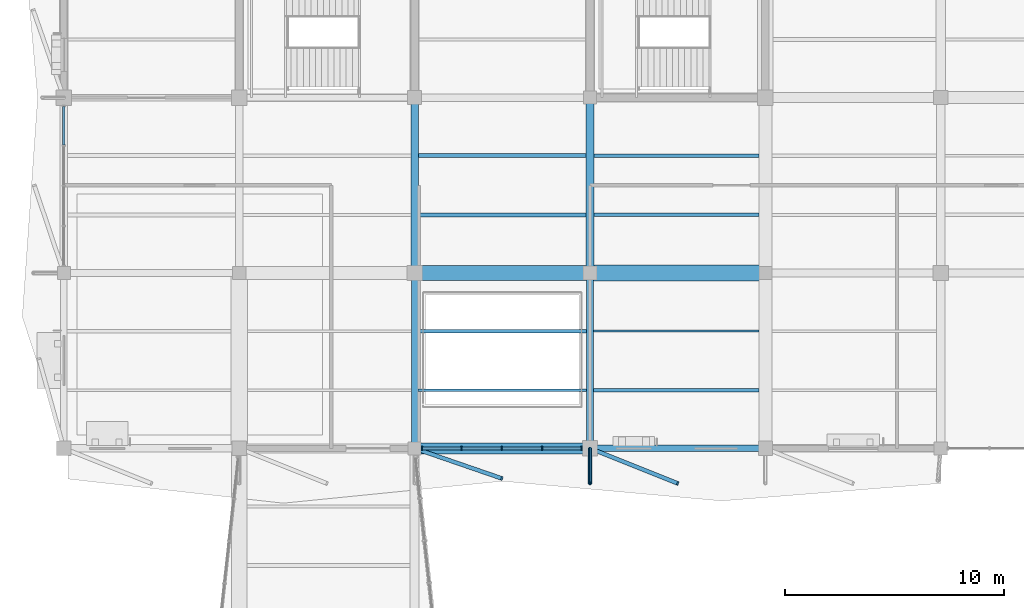
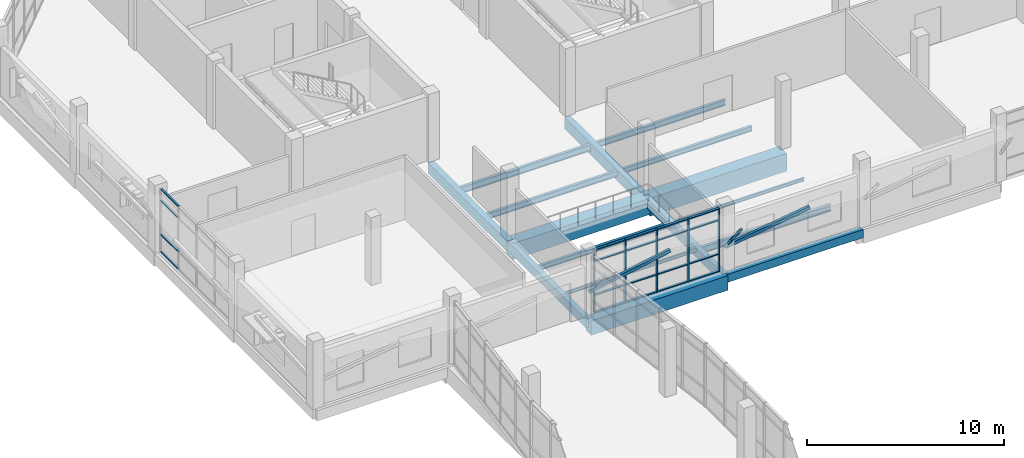
# One storey, part 26 of 84: 28 members, 16 beams, 2 elements without a shape of their own.
"""IFC4 building model written with IfcOpenShell, lengths in metres."""

import ifcopenshell
import ifcopenshell.guid

model = None  # the IFC model being written
_history = None  # IfcOwnerHistory: only IFC2X3 demands one
_inside = {}  # id of a spatial element -> (the spatial element, [elements in it])
_under = {}  # id of a project, library or spatial element -> (it, [spatial elements below it])
_declared = {}  # id of a project -> (the project, [libraries it declares])
_typed = {}  # id of a type object -> (the type object, [elements of that type])
_made_of = {}  # id of a material, layer set ... -> (it, [elements and type objects made of it])


def new_model(schema):
    """Start an empty IFC model of exactly this schema.

    Asked for "IFC4X3", IfcOpenShell would pick the latest addendum, in which some entities
    have other attributes; the version numbers below select the first issue.
    IFC2X3 requires an IfcOwnerHistory on every rooted entity: one is made here for all.
    """
    global model, _history
    if schema == "IFC4X3":
        model = ifcopenshell.file(schema_version=(4, 3, 0, 0))
    else:
        model = ifcopenshell.file(schema=schema)
    _inside.clear()
    _under.clear()
    _declared.clear()
    _typed.clear()
    _made_of.clear()
    _history = None
    if model.schema == "IFC2X3":
        org = make("IfcOrganization", Name="unknown")
        user = make(
            "IfcPersonAndOrganization",
            ThePerson=make("IfcPerson", FamilyName="unknown"),
            TheOrganization=org,
        )
        app = make(
            "IfcApplication",
            ApplicationDeveloper=org,
            Version="unknown",
            ApplicationFullName="unknown",
            ApplicationIdentifier="unknown",
        )
        _history = make(
            "IfcOwnerHistory",
            OwningUser=user,
            OwningApplication=app,
            ChangeAction="ADDED",
            CreationDate=0,
        )
    return model


def make(cls, **values):
    """One entity of the class cls with the attributes given. An attribute that is None is left unset."""
    return model.create_entity(
        cls, **{name: value for name, value in values.items() if value is not None}
    )


def rooted(cls, **values):
    """An entity with a GlobalId (a new one), such as an element, a storey or a relation."""
    return make(cls, GlobalId=ifcopenshell.guid.new(), OwnerHistory=_history, **values)


def si_unit(unit_type, name, prefix=None):
    """IfcSIUnit, for example si_unit("LENGTHUNIT", "METRE", prefix="MILLI")."""
    return make("IfcSIUnit", UnitType=unit_type, Prefix=prefix, Name=name)


def assignment(units):
    """IfcUnitAssignment: the units of a project."""
    return None if units is None else make("IfcUnitAssignment", Units=units)


def point(xyz):
    """IfcCartesianPoint."""
    return None if xyz is None else make("IfcCartesianPoint", Coordinates=xyz)


def direction(xyz):
    """IfcDirection."""
    return None if xyz is None else make("IfcDirection", DirectionRatios=xyz)


def frame(location, z_axis=None, x_axis=None):
    """IfcAxis2Placement3D, a coordinate frame: its origin and axes. An axis left out is left unset."""
    return make(
        "IfcAxis2Placement3D",
        Location=point(location),
        Axis=direction(z_axis),
        RefDirection=direction(x_axis),
    )


def frame_2d(location, x_axis=None):
    """IfcAxis2Placement2D, a coordinate frame in the plane: its origin and x axis."""
    return make(
        "IfcAxis2Placement2D", Location=point(location), RefDirection=direction(x_axis)
    )


def origin():
    """The frame at (0, 0, 0) with its axes left unset."""
    return frame((0.0, 0.0, 0.0))


def origin_2d():
    """The frame at (0, 0) in the plane with its x axis left unset."""
    return frame_2d((0.0, 0.0))


def place(relative_to, where):
    """IfcLocalPlacement: puts the frame where relative to a parent placement (None: the world)."""
    return make(
        "IfcLocalPlacement", PlacementRelTo=relative_to, RelativePlacement=where
    )


def context(
    kind, dimensions, precision=None, world=None, true_north=None, identifier=None
):
    """IfcGeometricRepresentationContext, for example the 3D "Model" context."""
    return make(
        "IfcGeometricRepresentationContext",
        ContextIdentifier=identifier,
        ContextType=kind,
        CoordinateSpaceDimension=dimensions,
        Precision=precision,
        WorldCoordinateSystem=world,
        TrueNorth=true_north,
    )


def subcontext(parent, identifier, kind, view, scale=None):
    """IfcGeometricRepresentationSubContext, for example "Body" below "Model"."""
    return make(
        "IfcGeometricRepresentationSubContext",
        ContextIdentifier=identifier,
        ContextType=kind,
        ParentContext=parent,
        TargetScale=scale,
        TargetView=view,
    )


def project(units=None, contexts=None):
    """IfcProject with its units and contexts."""
    return rooted(
        "IfcProject",
        Name="project",
        RepresentationContexts=contexts,
        UnitsInContext=assignment(units),
    )


def spatial(cls, under=None, at=None, **own):
    """A site, building, storey or space (cls), placed at a placement, below another one or the project."""
    s = rooted(cls, ObjectPlacement=at, **own)
    if under is not None:
        _under.setdefault(under.id(), (under, []))[1].append(s)
    return s


def profile(cls, at=None, kind="AREA", **sizes):
    """A parametric profile (cls). Its sizes go by their IFC names, for example OverallWidth=200.0."""
    return make(cls, ProfileType=kind, Position=at, **sizes)


def rectangle(**sizes):
    """IfcRectangleProfileDef."""
    return profile("IfcRectangleProfileDef", **sizes)


def hollow_rectangle(**sizes):
    """IfcRectangleHollowProfileDef."""
    return profile("IfcRectangleHollowProfileDef", **sizes)


def hollow_circle(**sizes):
    """IfcCircleHollowProfileDef."""
    return profile("IfcCircleHollowProfileDef", **sizes)


def i_section(**sizes):
    """IfcIShapeProfileDef."""
    return profile("IfcIShapeProfileDef", **sizes)


def extrude(swept, where, along, depth):
    """IfcExtrudedAreaSolid: the profile swept, set in the frame where, extruded along a direction by depth."""
    return make(
        "IfcExtrudedAreaSolid",
        SweptArea=swept,
        Position=where,
        ExtrudedDirection=direction(along),
        Depth=depth,
    )


def shape(context_of_items, identifier, shape_type, items):
    """IfcShapeRepresentation: the items that make up one representation, for example the "Body"."""
    return make(
        "IfcShapeRepresentation",
        ContextOfItems=context_of_items,
        RepresentationIdentifier=identifier,
        RepresentationType=shape_type,
        Items=items,
    )


def material(Name=None, Category=None):
    """IfcMaterial."""
    return make("IfcMaterial", Name=Name, Category=Category)


def material_profile(
    of_material, cross_section, Name=None, Category=None, Priority=None
):
    """IfcMaterialProfile: a cross section and its material."""
    return make(
        "IfcMaterialProfile",
        Name=Name,
        Material=of_material,
        Profile=cross_section,
        Priority=Priority,
        Category=Category,
    )


def profile_set(profiles, Name=None, composite=None):
    """IfcMaterialProfileSet."""
    return make(
        "IfcMaterialProfileSet",
        Name=Name,
        MaterialProfiles=profiles,
        CompositeProfile=composite,
    )


def made_of(thing, what):
    """Note that an element or type object is made of a material, layer set ...; save() writes the relation."""
    if what is not None:
        _made_of.setdefault(what.id(), (what, []))[1].append(thing)
    return thing


def type_object(cls, material=None, **own):
    """A type object (cls), such as IfcWallType, which elements share."""
    return made_of(rooted(cls, **own), material)


def element(
    cls,
    number,
    at=None,
    inside=None,
    cuts=None,
    type_object=None,
    material=None,
    context=None,
    identifier="Body",
    shape_type=None,
    held_by="IfcProductDefinitionShape",
    body=None,
    shapes=None,
    **own,
):
    """One element of the class cls, such as IfcWall. Its Tag is "e" and its number.

    at: its placement. inside: the storey or other place that contains it. cuts: it is an
    opening in that element (IfcRelVoidsElement). A single representation is given by context,
    identifier, shape_type and body (its items); several are given by shapes. held_by: the class
    of the entity that holds the representations. save() writes the other relations.
    """
    e = rooted(cls, Tag="e%d" % number, ObjectPlacement=at, **own)
    if body is not None:
        shapes = [shape(context, identifier, shape_type, body)]
    if shapes is not None:
        e.Representation = make(held_by, Representations=shapes)
    if inside is not None:
        _inside.setdefault(inside.id(), (inside, []))[1].append(e)
    if cuts is not None:
        rooted(
            "IfcRelVoidsElement", RelatingBuildingElement=cuts, RelatedOpeningElement=e
        )
    if type_object is not None:
        _typed.setdefault(type_object.id(), (type_object, []))[1].append(e)
    return made_of(e, material)


def aggregate(whole, parts):
    """IfcRelAggregates: a whole, such as a stair, and the parts it consists of."""
    return rooted("IfcRelAggregates", RelatingObject=whole, RelatedObjects=parts)


def save(model, path):
    """Write the relations noted so far, then the file.

    IfcRelAggregates (storeys below a building ...), IfcRelContainedInSpatialStructure (elements
    in a storey), IfcRelDefinesByType, IfcRelAssociatesMaterial and IfcRelDeclares: one each for
    every whole, place, type object, material and project.
    """
    for whole, parts in _under.values():
        aggregate(whole, parts)
    for where, things in _inside.values():
        rooted(
            "IfcRelContainedInSpatialStructure",
            RelatedElements=things,
            RelatingStructure=where,
        )
    for kind, things in _typed.values():
        rooted("IfcRelDefinesByType", RelatedObjects=things, RelatingType=kind)
    for what, things in _made_of.values():
        rooted("IfcRelAssociatesMaterial", RelatedObjects=things, RelatingMaterial=what)
    for by, libraries in _declared.values():
        rooted("IfcRelDeclares", RelatingContext=by, RelatedDefinitions=libraries)
    model.write(path)


model = new_model("IFC4")

# Units and contexts
model_context = context("Model", 3, precision=1e-05, world=origin(), true_north=direction((0.0, 1.0)))
body_context = subcontext(model_context, "Body", "Model", "MODEL_VIEW")
ifc_project = project(units=[si_unit("LENGTHUNIT", "METRE"), si_unit("AREAUNIT", "SQUARE_METRE"), si_unit("VOLUMEUNIT", "CUBIC_METRE"), si_unit("PLANEANGLEUNIT", "RADIAN"), si_unit("MASSUNIT", "GRAM", prefix="KILO")], contexts=[model_context])

# Site, building, storey
site_placement = place(None, origin())
site = spatial("IfcSite", under=ifc_project, at=site_placement, CompositionType="ELEMENT")
building_placement = place(site_placement, origin())
building = spatial("IfcBuilding", under=site, at=building_placement, Name="Tenunan Teduh Sports Hall", CompositionType="ELEMENT")
storey_placement = place(building_placement, frame((0.0, 0.0, 10.800048828125)))
storey = spatial("IfcBuildingStorey", under=building, at=storey_placement, Name="L02", CompositionType="ELEMENT", Elevation=10.800048828125)

# Beams
ifc_material_1 = material(Name="Concrete C40/50", Category="concrete")
ifc_material_profile_1 = material_profile(ifc_material_1, rectangle(XDim=0.300048828125, YDim=0.5, at=origin_2d()), Name="RCB 300x500")
ifc_profile_set_1 = profile_set([ifc_material_profile_1], Name="Concrete C40/50")
beam_type_1 = type_object("IfcBeamType", Name="BM-RC-300x500", PredefinedType="BEAM", material=ifc_profile_set_1)
beam_1_placement = place(storey_placement, frame((30.0, 78.0, -0.510009765625), z_axis=(1.0, 0.0, 0.0), x_axis=(0.0, 1.0, 0.0)))
element("IfcBeam", 1, at=beam_1_placement, inside=storey, type_object=beam_type_1, Name="BM-B-01-L02-1485", PredefinedType="BEAM", context=body_context, shape_type="SweptSolid", body=[
    extrude(rectangle(XDim=0.300048828125, YDim=0.5, at=origin_2d()), origin(), (0.0, 0.0, 1.0), 8.0),
])
ifc_material_2 = material(Name="Concrete C40/50", Category="concrete")
ifc_material_profile_2 = material_profile(ifc_material_2, rectangle(XDim=0.300048828125, YDim=0.550048828125, at=origin_2d()), Name="RCB 300x550")
ifc_profile_set_2 = profile_set([ifc_material_profile_2], Name="Concrete C40/50")
beam_type_2 = type_object("IfcBeamType", Name="BM-RC-300x550", PredefinedType="BEAM", material=ifc_profile_set_2)
beam_2_placement = place(storey_placement, frame((22.0, 78.0, -0.53515625), z_axis=(0.0, 1.0, 0.0), x_axis=(-1.0, 0.0, 0.0)))
element("IfcBeam", 2, at=beam_2_placement, inside=storey, type_object=beam_type_2, Name="BM-B-02-L02-1588", PredefinedType="BEAM", context=body_context, shape_type="SweptSolid", body=[
    extrude(rectangle(XDim=0.300048828125, YDim=0.550048828125, at=origin_2d()), origin(), (0.0, 0.0, 1.0), 8.0),
])
ifc_material_3 = material(Name="Concrete C40/50", Category="concrete")
ifc_material_profile_3 = material_profile(ifc_material_3, rectangle(XDim=0.300048828125, YDim=0.60009765625, at=origin_2d()), Name="RCB 300x600")
ifc_profile_set_3 = profile_set([ifc_material_profile_3], Name="Concrete C40/50")
beam_type_3 = type_object("IfcBeamType", Name="BM-RC-300x600", PredefinedType="BEAM", material=ifc_profile_set_3)
beam_3_placement = place(storey_placement, frame((30.0, 78.0, -0.56005859375), z_axis=(0.0, 1.0, 0.0), x_axis=(-1.0, 0.0, 0.0)))
element("IfcBeam", 3, at=beam_3_placement, inside=storey, type_object=beam_type_3, Name="BM-B-03-L02-1593", PredefinedType="BEAM", context=body_context, shape_type="SweptSolid", body=[
    extrude(rectangle(XDim=0.300048828125, YDim=0.60009765625, at=origin_2d()), origin(), (0.0, 0.0, 1.0), 8.0),
])
ifc_material_4 = material(Name="Concrete C40/50", Category="concrete")
ifc_material_profile_4 = material_profile(ifc_material_4, rectangle(XDim=0.35009765625, YDim=0.64990234375, at=origin_2d()), Name="RCB 350x650")
ifc_profile_set_4 = profile_set([ifc_material_profile_4], Name="Concrete C40/50")
beam_type_4 = type_object("IfcBeamType", Name="BM-RC-350x650", PredefinedType="BEAM", material=ifc_profile_set_4)
beam_4_placement = place(storey_placement, frame((22.0, 86.0, -0.5849609375), z_axis=(0.0, 1.0, 0.0), x_axis=(-1.0, 0.0, 0.0)))
element("IfcBeam", 4, at=beam_4_placement, inside=storey, type_object=beam_type_4, Name="BM-B-05-L02-1589", PredefinedType="BEAM", context=body_context, shape_type="SweptSolid", body=[
    extrude(rectangle(XDim=0.35009765625, YDim=0.64990234375, at=origin_2d()), origin(), (0.0, 0.0, 1.0), 8.0),
])
ifc_material_5 = material(Name="Concrete C40/50", Category="concrete")
ifc_material_profile_5 = material_profile(ifc_material_5, rectangle(XDim=0.35009765625, YDim=0.699951171875, at=origin_2d()), Name="RCB 350x700")
ifc_profile_set_5 = profile_set([ifc_material_profile_5], Name="Concrete C40/50")
beam_type_5 = type_object("IfcBeamType", Name="BM-RC-350x700", PredefinedType="BEAM", material=ifc_profile_set_5)
beam_5_placement = place(storey_placement, frame((30.0, 86.0, -0.610107421875), z_axis=(0.0, 1.0, 0.0), x_axis=(-1.0, 0.0, 0.0)))
element("IfcBeam", 5, at=beam_5_placement, inside=storey, type_object=beam_type_5, Name="BM-B-06-L02-1594", PredefinedType="BEAM", context=body_context, shape_type="SweptSolid", body=[
    extrude(rectangle(XDim=0.35009765625, YDim=0.699951171875, at=origin_2d()), origin(), (0.0, 0.0, 1.0), 8.0),
])
ifc_material_6 = material(Name="Concrete C40/50", Category="concrete")
ifc_material_profile_6 = material_profile(ifc_material_6, rectangle(XDim=0.5, YDim=0.89990234375, at=origin_2d()), Name="RCB 500x900")
ifc_profile_set_6 = profile_set([ifc_material_profile_6], Name="Concrete C40/50")
beam_type_6 = type_object("IfcBeamType", Name="BM-RC-500x900", PredefinedType="BEAM", material=ifc_profile_set_6)
beam_6_placement = place(storey_placement, frame((22.0, 78.0, -0.7099609375), z_axis=(1.0, 0.0, 0.0), x_axis=(0.0, 1.0, 0.0)))
element("IfcBeam", 6, at=beam_6_placement, inside=storey, type_object=beam_type_6, Name="BM-B-15-L02-1484", PredefinedType="BEAM", context=body_context, shape_type="SweptSolid", body=[
    extrude(rectangle(XDim=0.5, YDim=0.89990234375, at=origin_2d()), origin(), (0.0, 0.0, 1.0), 8.0),
])
ifc_material_7 = material(Name="Concrete C40/50", Category="concrete")
ifc_material_profile_7 = material_profile(ifc_material_7, rectangle(XDim=0.699951171875, YDim=1.0, at=origin_2d()), Name="RCB 700x1000")
ifc_profile_set_7 = profile_set([ifc_material_profile_7], Name="Concrete C40/50")
beam_type_7 = type_object("IfcBeamType", Name="BM-RC-700x1000", PredefinedType="SPANDREL", material=ifc_profile_set_7)
beam_7_placement = place(storey_placement, frame((22.0, 86.0, -0.760009765625), z_axis=(1.0, 0.0, 0.0), x_axis=(0.0, 1.0, 0.0)))
element("IfcBeam", 7, at=beam_7_placement, inside=storey, type_object=beam_type_7, Name="BM-B-19-L02-1493", PredefinedType="SPANDREL", context=body_context, shape_type="SweptSolid", body=[
    extrude(rectangle(XDim=0.699951171875, YDim=1.0, at=origin_2d()), origin(), (0.0, 0.0, 1.0), 8.0),
])
ifc_material_8 = material(Name="Concrete C40/50", Category="concrete")
ifc_material_profile_8 = material_profile(ifc_material_8, rectangle(XDim=0.75, YDim=1.10009765625, at=origin_2d()), Name="RCB 750x1100")
ifc_profile_set_8 = profile_set([ifc_material_profile_8], Name="Concrete C40/50")
beam_type_8 = type_object("IfcBeamType", Name="BM-RC-750x1100", PredefinedType="SPANDREL", material=ifc_profile_set_8)
beam_8_placement = place(storey_placement, frame((30.0, 86.0, -0.81005859375), z_axis=(1.0, 0.0, 0.0), x_axis=(0.0, 1.0, 0.0)))
element("IfcBeam", 8, at=beam_8_placement, inside=storey, type_object=beam_type_8, Name="BM-B-20-L02-1494", PredefinedType="SPANDREL", context=body_context, shape_type="SweptSolid", body=[
    extrude(rectangle(XDim=0.75, YDim=1.10009765625, at=origin_2d()), origin(), (0.0, 0.0, 1.0), 8.0),
])

# Curtain wall, members
ifc_material_9 = material(Name="Anodised aluminium", Category="aluminium")
curtain_wall_type = type_object("IfcCurtainWallType", Name="CW-UNIT-2", PredefinedType="NOTDEFINED", material=ifc_material_9)
curtain_wall_1_placement = place(storey_placement, origin())
curtain_wall_1 = element("IfcCurtainWall", 9, at=curtain_wall_1_placement, inside=storey, type_object=curtain_wall_type, Name="CW-CWM-175-L02-210", PredefinedType="NOTDEFINED")
ifc_material_10 = material(Name="Anodised aluminium", Category="aluminium")
ifc_material_profile_9 = material_profile(ifc_material_10, rectangle(XDim=0.06494140625, YDim=0.175048828125, at=origin_2d()), Name="CWM 65x175")
ifc_profile_set_9 = profile_set([ifc_material_profile_9], Name="Anodised aluminium")
member_type_1 = type_object("IfcMemberType", Name="CWM-175", PredefinedType="MULLION", material=ifc_profile_set_9)
member_1_placement = place(storey_placement, frame((22.33251953125, 78.0, 0.0), z_axis=(0.0, 0.0, 1.0), x_axis=(1.0, 0.0, 0.0)))
member_1 = element("IfcMember", 10, at=member_1_placement, type_object=member_type_1, Name="CW-02 mullion 1", PredefinedType="MULLION", context=body_context, shape_type="SweptSolid", body=[
    extrude(rectangle(XDim=0.06494140625, YDim=0.175048828125, at=origin_2d()), origin(), (0.0, 0.0, 1.0), 3.919921875),
])
member_2_placement = place(storey_placement, frame((24.137451171875, 78.0, 0.0), z_axis=(0.0, 0.0, 1.0), x_axis=(1.0, 0.0, 0.0)))
member_2 = element("IfcMember", 11, at=member_2_placement, type_object=member_type_1, Name="CW-02 mullion 2", PredefinedType="MULLION", context=body_context, shape_type="SweptSolid", body=[
    extrude(rectangle(XDim=0.06494140625, YDim=0.175048828125, at=origin_2d()), origin(), (0.0, 0.0, 1.0), 3.919921875),
])
member_3_placement = place(storey_placement, frame((25.97509765625, 78.0, 0.0), z_axis=(0.0, 0.0, 1.0), x_axis=(1.0, 0.0, 0.0)))
member_3 = element("IfcMember", 12, at=member_3_placement, type_object=member_type_1, Name="CW-02 mullion 3", PredefinedType="MULLION", context=body_context, shape_type="SweptSolid", body=[
    extrude(rectangle(XDim=0.06494140625, YDim=0.175048828125, at=origin_2d()), origin(), (0.0, 0.0, 1.0), 3.919921875),
])
member_4_placement = place(storey_placement, frame((27.8125, 78.0, 0.0), z_axis=(0.0, 0.0, 1.0), x_axis=(1.0, 0.0, 0.0)))
member_4 = element("IfcMember", 13, at=member_4_placement, type_object=member_type_1, Name="CW-02 mullion 4", PredefinedType="MULLION", context=body_context, shape_type="SweptSolid", body=[
    extrude(rectangle(XDim=0.06494140625, YDim=0.175048828125, at=origin_2d()), origin(), (0.0, 0.0, 1.0), 3.919921875),
])
member_5_placement = place(storey_placement, frame((29.617431640625, 78.0, 0.0), z_axis=(0.0, 0.0, 1.0), x_axis=(1.0, 0.0, 0.0)))
member_5 = element("IfcMember", 14, at=member_5_placement, type_object=member_type_1, Name="CW-02 mullion 5", PredefinedType="MULLION", context=body_context, shape_type="SweptSolid", body=[
    extrude(rectangle(XDim=0.06494140625, YDim=0.175048828125, at=origin_2d()), origin(), (0.0, 0.0, 1.0), 3.919921875),
])

curtain_wall_2_placement = place(storey_placement, origin())
curtain_wall_2 = element("IfcCurtainWall", 15, at=curtain_wall_2_placement, inside=storey, type_object=curtain_wall_type, Name="CW-CWM-150-L02-219", PredefinedType="NOTDEFINED")
ifc_material_11 = material(Name="Anodised aluminium", Category="aluminium")
ifc_material_profile_10 = material_profile(ifc_material_11, rectangle(XDim=0.06005859375, YDim=0.1201171875, at=origin_2d()), Name="CWT 60x120")
ifc_profile_set_10 = profile_set([ifc_material_profile_10], Name="Anodised aluminium")
member_type_2 = type_object("IfcMemberType", Name="CWT-125", PredefinedType="USERDEFINED", material=ifc_profile_set_10)
member_6_placement = place(storey_placement, frame((6.0, 91.842529296875, 0.030029296875), z_axis=(0.0, 1.0, 0.0), x_axis=(0.0, 0.0, 1.0)))
member_6 = element("IfcMember", 16, at=member_6_placement, type_object=member_type_2, Name="CW-02 transom 4.1", ObjectType="TRANSOM", PredefinedType="USERDEFINED", context=body_context, shape_type="SweptSolid", body=[
    extrude(rectangle(XDim=0.06005859375, YDim=0.1201171875, at=origin_2d()), origin(), (0.0, 0.0, 1.0), 1.74755859375),
])
member_7_placement = place(storey_placement, frame((6.0, 91.842529296875, 1.099853515625), z_axis=(0.0, 1.0, 0.0), x_axis=(0.0, 0.0, 1.0)))
member_7 = element("IfcMember", 17, at=member_7_placement, type_object=member_type_2, Name="CW-02 transom 4.2", ObjectType="TRANSOM", PredefinedType="USERDEFINED", context=body_context, shape_type="SweptSolid", body=[
    extrude(rectangle(XDim=0.06005859375, YDim=0.1201171875, at=origin_2d()), origin(), (0.0, 0.0, 1.0), 1.74755859375),
])
member_8_placement = place(storey_placement, frame((6.0, 91.842529296875, 3.199951171875), z_axis=(0.0, 1.0, 0.0), x_axis=(0.0, 0.0, 1.0)))
member_8 = element("IfcMember", 18, at=member_8_placement, type_object=member_type_2, Name="CW-02 transom 4.3", ObjectType="TRANSOM", PredefinedType="USERDEFINED", context=body_context, shape_type="SweptSolid", body=[
    extrude(rectangle(XDim=0.06005859375, YDim=0.1201171875, at=origin_2d()), origin(), (0.0, 0.0, 1.0), 1.74755859375),
])
member_9_placement = place(storey_placement, frame((6.0, 91.842529296875, 3.889892578125), z_axis=(0.0, 1.0, 0.0), x_axis=(0.0, 0.0, 1.0)))
member_9 = element("IfcMember", 19, at=member_9_placement, type_object=member_type_2, Name="CW-02 transom 4.4", ObjectType="TRANSOM", PredefinedType="USERDEFINED", context=body_context, shape_type="SweptSolid", body=[
    extrude(rectangle(XDim=0.06005859375, YDim=0.1201171875, at=origin_2d()), origin(), (0.0, 0.0, 1.0), 1.74755859375),
])
aggregate(curtain_wall_2, [member_6, member_7, member_8, member_9])

# Member
ifc_material_12 = material(Name="Anodised aluminium", Category="aluminium")
ifc_material_profile_11 = material_profile(ifc_material_12, rectangle(XDim=0.06494140625, YDim=0.139892578125, at=origin_2d()), Name="CWT 65x140")
ifc_profile_set_11 = profile_set([ifc_material_profile_11], Name="Anodised aluminium")
member_type_3 = type_object("IfcMemberType", Name="CWT-150", PredefinedType="USERDEFINED", material=ifc_profile_set_11)
member_10_placement = place(storey_placement, frame((22.364990234375, 78.0, 0.032470703125), z_axis=(1.0, 0.0, 0.0), x_axis=(0.0, 0.0, 1.0)))
member_10 = element("IfcMember", 20, at=member_10_placement, type_object=member_type_3, Name="CW-02 transom 1.1", ObjectType="TRANSOM", PredefinedType="USERDEFINED", context=body_context, shape_type="SweptSolid", body=[
    extrude(rectangle(XDim=0.06494140625, YDim=0.139892578125, at=origin_2d()), origin(), (0.0, 0.0, 1.0), 1.739990234375),
])

member_11_placement = place(storey_placement, frame((22.364990234375, 78.0, 1.099853515625), z_axis=(1.0, 0.0, 0.0), x_axis=(0.0, 0.0, 1.0)))
member_11 = element("IfcMember", 21, at=member_11_placement, type_object=member_type_3, Name="CW-02 transom 1.2", ObjectType="TRANSOM", PredefinedType="USERDEFINED", context=body_context, shape_type="SweptSolid", body=[
    extrude(rectangle(XDim=0.06494140625, YDim=0.139892578125, at=origin_2d()), origin(), (0.0, 0.0, 1.0), 1.739990234375),
])

member_12_placement = place(storey_placement, frame((22.364990234375, 78.0, 3.199951171875), z_axis=(1.0, 0.0, 0.0), x_axis=(0.0, 0.0, 1.0)))
member_12 = element("IfcMember", 22, at=member_12_placement, type_object=member_type_3, Name="CW-02 transom 1.3", ObjectType="TRANSOM", PredefinedType="USERDEFINED", context=body_context, shape_type="SweptSolid", body=[
    extrude(rectangle(XDim=0.06494140625, YDim=0.139892578125, at=origin_2d()), origin(), (0.0, 0.0, 1.0), 1.739990234375),
])

member_13_placement = place(storey_placement, frame((22.364990234375, 78.0, 3.887451171875), z_axis=(1.0, 0.0, 0.0), x_axis=(0.0, 0.0, 1.0)))
member_13 = element("IfcMember", 23, at=member_13_placement, type_object=member_type_3, Name="CW-02 transom 1.4", ObjectType="TRANSOM", PredefinedType="USERDEFINED", context=body_context, shape_type="SweptSolid", body=[
    extrude(rectangle(XDim=0.06494140625, YDim=0.139892578125, at=origin_2d()), origin(), (0.0, 0.0, 1.0), 1.739990234375),
])

member_14_placement = place(storey_placement, frame((24.169921875, 78.0, 0.032470703125), z_axis=(1.0, 0.0, 0.0), x_axis=(0.0, 0.0, 1.0)))
member_14 = element("IfcMember", 24, at=member_14_placement, type_object=member_type_3, Name="CW-02 transom 2.1", ObjectType="TRANSOM", PredefinedType="USERDEFINED", context=body_context, shape_type="SweptSolid", body=[
    extrude(rectangle(XDim=0.06494140625, YDim=0.139892578125, at=origin_2d()), origin(), (0.0, 0.0, 1.0), 1.7724609375),
])

member_15_placement = place(storey_placement, frame((24.169921875, 78.0, 1.099853515625), z_axis=(1.0, 0.0, 0.0), x_axis=(0.0, 0.0, 1.0)))
member_15 = element("IfcMember", 25, at=member_15_placement, type_object=member_type_3, Name="CW-02 transom 2.2", ObjectType="TRANSOM", PredefinedType="USERDEFINED", context=body_context, shape_type="SweptSolid", body=[
    extrude(rectangle(XDim=0.06494140625, YDim=0.139892578125, at=origin_2d()), origin(), (0.0, 0.0, 1.0), 1.7724609375),
])

member_16_placement = place(storey_placement, frame((24.169921875, 78.0, 3.199951171875), z_axis=(1.0, 0.0, 0.0), x_axis=(0.0, 0.0, 1.0)))
member_16 = element("IfcMember", 26, at=member_16_placement, type_object=member_type_3, Name="CW-02 transom 2.3", ObjectType="TRANSOM", PredefinedType="USERDEFINED", context=body_context, shape_type="SweptSolid", body=[
    extrude(rectangle(XDim=0.06494140625, YDim=0.139892578125, at=origin_2d()), origin(), (0.0, 0.0, 1.0), 1.7724609375),
])

member_17_placement = place(storey_placement, frame((24.169921875, 78.0, 3.887451171875), z_axis=(1.0, 0.0, 0.0), x_axis=(0.0, 0.0, 1.0)))
member_17 = element("IfcMember", 27, at=member_17_placement, type_object=member_type_3, Name="CW-02 transom 2.4", ObjectType="TRANSOM", PredefinedType="USERDEFINED", context=body_context, shape_type="SweptSolid", body=[
    extrude(rectangle(XDim=0.06494140625, YDim=0.139892578125, at=origin_2d()), origin(), (0.0, 0.0, 1.0), 1.7724609375),
])

member_18_placement = place(storey_placement, frame((26.007568359375, 78.0, 0.032470703125), z_axis=(1.0, 0.0, 0.0), x_axis=(0.0, 0.0, 1.0)))
member_18 = element("IfcMember", 28, at=member_18_placement, type_object=member_type_3, Name="CW-02 transom 3.1", ObjectType="TRANSOM", PredefinedType="USERDEFINED", context=body_context, shape_type="SweptSolid", body=[
    extrude(rectangle(XDim=0.06494140625, YDim=0.139892578125, at=origin_2d()), origin(), (0.0, 0.0, 1.0), 1.7724609375),
])

member_19_placement = place(storey_placement, frame((26.007568359375, 78.0, 1.099853515625), z_axis=(1.0, 0.0, 0.0), x_axis=(0.0, 0.0, 1.0)))
member_19 = element("IfcMember", 29, at=member_19_placement, type_object=member_type_3, Name="CW-02 transom 3.2", ObjectType="TRANSOM", PredefinedType="USERDEFINED", context=body_context, shape_type="SweptSolid", body=[
    extrude(rectangle(XDim=0.06494140625, YDim=0.139892578125, at=origin_2d()), origin(), (0.0, 0.0, 1.0), 1.7724609375),
])

member_20_placement = place(storey_placement, frame((26.007568359375, 78.0, 3.199951171875), z_axis=(1.0, 0.0, 0.0), x_axis=(0.0, 0.0, 1.0)))
member_20 = element("IfcMember", 30, at=member_20_placement, type_object=member_type_3, Name="CW-02 transom 3.3", ObjectType="TRANSOM", PredefinedType="USERDEFINED", context=body_context, shape_type="SweptSolid", body=[
    extrude(rectangle(XDim=0.06494140625, YDim=0.139892578125, at=origin_2d()), origin(), (0.0, 0.0, 1.0), 1.7724609375),
])

member_21_placement = place(storey_placement, frame((26.007568359375, 78.0, 3.887451171875), z_axis=(1.0, 0.0, 0.0), x_axis=(0.0, 0.0, 1.0)))
member_21 = element("IfcMember", 31, at=member_21_placement, type_object=member_type_3, Name="CW-02 transom 3.4", ObjectType="TRANSOM", PredefinedType="USERDEFINED", context=body_context, shape_type="SweptSolid", body=[
    extrude(rectangle(XDim=0.06494140625, YDim=0.139892578125, at=origin_2d()), origin(), (0.0, 0.0, 1.0), 1.7724609375),
])

member_22_placement = place(storey_placement, frame((27.844970703125, 78.0, 0.032470703125), z_axis=(1.0, 0.0, 0.0), x_axis=(0.0, 0.0, 1.0)))
member_22 = element("IfcMember", 32, at=member_22_placement, type_object=member_type_3, Name="CW-02 transom 4.1", ObjectType="TRANSOM", PredefinedType="USERDEFINED", context=body_context, shape_type="SweptSolid", body=[
    extrude(rectangle(XDim=0.06494140625, YDim=0.139892578125, at=origin_2d()), origin(), (0.0, 0.0, 1.0), 1.739990234375),
])

member_23_placement = place(storey_placement, frame((27.844970703125, 78.0, 1.099853515625), z_axis=(1.0, 0.0, 0.0), x_axis=(0.0, 0.0, 1.0)))
member_23 = element("IfcMember", 33, at=member_23_placement, type_object=member_type_3, Name="CW-02 transom 4.2", ObjectType="TRANSOM", PredefinedType="USERDEFINED", context=body_context, shape_type="SweptSolid", body=[
    extrude(rectangle(XDim=0.06494140625, YDim=0.139892578125, at=origin_2d()), origin(), (0.0, 0.0, 1.0), 1.739990234375),
])

member_24_placement = place(storey_placement, frame((27.844970703125, 78.0, 3.199951171875), z_axis=(1.0, 0.0, 0.0), x_axis=(0.0, 0.0, 1.0)))
member_24 = element("IfcMember", 34, at=member_24_placement, type_object=member_type_3, Name="CW-02 transom 4.3", ObjectType="TRANSOM", PredefinedType="USERDEFINED", context=body_context, shape_type="SweptSolid", body=[
    extrude(rectangle(XDim=0.06494140625, YDim=0.139892578125, at=origin_2d()), origin(), (0.0, 0.0, 1.0), 1.739990234375),
])

member_25_placement = place(storey_placement, frame((27.844970703125, 78.0, 3.887451171875), z_axis=(1.0, 0.0, 0.0), x_axis=(0.0, 0.0, 1.0)))
member_25 = element("IfcMember", 35, at=member_25_placement, type_object=member_type_3, Name="CW-02 transom 4.4", ObjectType="TRANSOM", PredefinedType="USERDEFINED", context=body_context, shape_type="SweptSolid", body=[
    extrude(rectangle(XDim=0.06494140625, YDim=0.139892578125, at=origin_2d()), origin(), (0.0, 0.0, 1.0), 1.739990234375),
])

aggregate(curtain_wall_1, [member_1, member_2, member_3, member_4, member_5, member_10, member_11, member_12, member_13, member_14, member_15, member_16, member_17, member_18, member_19, member_20, member_21, member_22, member_23, member_24, member_25])

# Beams
ifc_material_13 = material(Name="Steel S355", Category="steel")
ifc_material_profile_12 = material_profile(ifc_material_13, i_section(OverallWidth=0.10009765625, OverallDepth=0.199951171875, WebThickness=0.005615234375, FlangeThickness=0.008544921875, FilletRadius=0.011962890625, at=origin_2d()), Name="IPE 200")
ifc_profile_set_12 = profile_set([ifc_material_profile_12], Name="Steel S355")
beam_type_9 = type_object("IfcBeamType", Name="JST-IPE200", PredefinedType="JOIST", material=ifc_profile_set_12)
beam_9_placement = place(storey_placement, frame((22.14990234375, 80.64990234375, -0.360107421875), z_axis=(1.0, 0.0, 0.0), x_axis=(0.0, 1.0, 0.0)))
element("IfcBeam", 36, at=beam_9_placement, inside=storey, type_object=beam_type_9, Name="BM-J-01-L02-1698", PredefinedType="JOIST", context=body_context, shape_type="SweptSolid", body=[
    extrude(i_section(OverallWidth=0.10009765625, OverallDepth=0.199951171875, WebThickness=0.005615234375, FlangeThickness=0.008544921875, FilletRadius=0.011962890625, at=origin_2d()), origin(), (0.0, 0.0, 1.0), 7.7001953125),
])
beam_10_placement = place(storey_placement, frame((30.14990234375, 83.35009765625, -0.360107421875), z_axis=(1.0, 0.0, 0.0), x_axis=(0.0, 1.0, 0.0)))
element("IfcBeam", 37, at=beam_10_placement, inside=storey, type_object=beam_type_9, Name="BM-J-01-L02-1709", PredefinedType="JOIST", context=body_context, shape_type="SweptSolid", body=[
    extrude(i_section(OverallWidth=0.10009765625, OverallDepth=0.199951171875, WebThickness=0.005615234375, FlangeThickness=0.008544921875, FilletRadius=0.011962890625, at=origin_2d()), origin(), (0.0, 0.0, 1.0), 7.550048828125),
])
ifc_material_14 = material(Name="Steel S355", Category="steel")
ifc_material_profile_13 = material_profile(ifc_material_14, i_section(OverallWidth=0.179931640625, OverallDepth=0.39990234375, WebThickness=0.008544921875, FlangeThickness=0.013427734375, FilletRadius=0.02099609375, at=origin_2d()), Name="IPE 400")
ifc_profile_set_13 = profile_set([ifc_material_profile_13], Name="Steel S355")
beam_type_10 = type_object("IfcBeamType", Name="JST-IPE400", PredefinedType="JOIST", material=ifc_profile_set_13)
beam_11_placement = place(storey_placement, frame((30.14990234375, 80.64990234375, -0.4599609375), z_axis=(1.0, 0.0, 0.0), x_axis=(0.0, 1.0, 0.0)))
element("IfcBeam", 38, at=beam_11_placement, inside=storey, type_object=beam_type_10, Name="BM-J-06-L02-1708", PredefinedType="JOIST", context=body_context, shape_type="SweptSolid", body=[
    extrude(i_section(OverallWidth=0.179931640625, OverallDepth=0.39990234375, WebThickness=0.008544921875, FlangeThickness=0.013427734375, FilletRadius=0.02099609375, at=origin_2d()), origin(), (0.0, 0.0, 1.0), 7.550048828125),
])

# Members
ifc_material_15 = material(Name="Steel S355", Category="steel")
ifc_material_profile_14 = material_profile(ifc_material_15, hollow_circle(Radius=0.084228515625, WallThickness=0.008056640625, at=origin_2d()), Name="CHS 168.3x8.0")
ifc_profile_set_14 = profile_set([ifc_material_profile_14], Name="Steel S355")
member_type_4 = type_object("IfcMemberType", Name="MEM-BR-CHS168", PredefinedType="BRACE", material=ifc_profile_set_14)
member_26_placement = place(storey_placement, frame((30.0, 78.0, 1.39990234375), z_axis=(0.0, -0.620921316091, 0.783872897366), x_axis=(1.0, 0.0, 0.0)))
element("IfcMember", 39, at=member_26_placement, inside=storey, type_object=member_type_4, Name="MEM-GD-04-L02-1257", PredefinedType="BRACE", context=body_context, shape_type="SweptSolid", body=[
    extrude(hollow_circle(Radius=0.084228515625, WallThickness=0.008056640625, at=origin_2d()), origin(), (0.0, 0.0, 1.0), 2.576904296875),
])
ifc_material_16 = material(Name="Steel S355", Category="steel")
ifc_material_profile_15 = material_profile(ifc_material_16, hollow_rectangle(XDim=0.179931640625, YDim=0.179931640625, WallThickness=0.010009765625, at=origin_2d()), Name="SHS 180x180x10.0")
ifc_profile_set_15 = profile_set([ifc_material_profile_15], Name="Steel S355")
member_type_5 = type_object("IfcMemberType", Name="MEM-ST-SHS180", PredefinedType="STRUT", material=ifc_profile_set_15)
member_27_placement = place(storey_placement, frame((22.0, 78.0, 1.39990234375), z_axis=(0.852222439216, -0.293891453165, 0.432833371927), x_axis=(0.326012143826, 0.945365581179, 0.0)))
element("IfcMember", 40, at=member_27_placement, inside=storey, type_object=member_type_5, Name="MEM-VS-03-L02-1256", PredefinedType="STRUT", context=body_context, shape_type="SweptSolid", body=[
    extrude(hollow_rectangle(XDim=0.179931640625, YDim=0.179931640625, WallThickness=0.010009765625, at=origin_2d()), origin(), (0.0, 0.0, 1.0), 4.6669921875),
])
member_28_placement = place(storey_placement, frame((30.0, 78.0, 1.39990234375), z_axis=(0.840648010472, -0.336279727822, 0.424531350015), x_axis=(0.37141021739, 0.928468874232, 0.0)))
element("IfcMember", 41, at=member_28_placement, inside=storey, type_object=member_type_5, Name="MEM-VS-03-L02-1258", PredefinedType="STRUT", context=body_context, shape_type="SweptSolid", body=[
    extrude(hollow_rectangle(XDim=0.179931640625, YDim=0.179931640625, WallThickness=0.010009765625, at=origin_2d()), origin(), (0.0, 0.0, 1.0), 4.75830078125),
])

# Beams
ifc_material_17 = material(Name="Steel S355", Category="steel")
ifc_material_profile_16 = material_profile(ifc_material_17, i_section(OverallWidth=0.1650390625, OverallDepth=0.303466796875, WebThickness=0.006103515625, FlangeThickness=0.01025390625, FilletRadius=0.0087890625, at=origin_2d()), Name="UKB 305x165x40")
ifc_profile_set_16 = profile_set([ifc_material_profile_16], Name="Steel S355")
beam_type_11 = type_object("IfcBeamType", Name="SBM-UKB305", PredefinedType="BEAM", material=ifc_profile_set_16)
beam_12_placement = place(storey_placement, frame((22.14990234375, 83.35009765625, -0.411865234375), z_axis=(1.0, 0.0, 0.0), x_axis=(0.0, 1.0, 0.0)))
element("IfcBeam", 42, at=beam_12_placement, inside=storey, type_object=beam_type_11, Name="BM-SB-01-L02-1699", PredefinedType="BEAM", context=body_context, shape_type="SweptSolid", body=[
    extrude(i_section(OverallWidth=0.1650390625, OverallDepth=0.303466796875, WebThickness=0.006103515625, FlangeThickness=0.01025390625, FilletRadius=0.0087890625, at=origin_2d()), origin(), (0.0, 0.0, 1.0), 7.7001953125),
])
beam_13_placement = place(storey_placement, frame((30.175048828125, 88.64990234375, -0.411865234375), z_axis=(1.0, 0.0, 0.0), x_axis=(0.0, 1.0, 0.0)))
element("IfcBeam", 43, at=beam_13_placement, inside=storey, type_object=beam_type_11, Name="BM-SB-01-L02-1710", PredefinedType="BEAM", context=body_context, shape_type="SweptSolid", body=[
    extrude(i_section(OverallWidth=0.1650390625, OverallDepth=0.303466796875, WebThickness=0.006103515625, FlangeThickness=0.01025390625, FilletRadius=0.0087890625, at=origin_2d()), origin(), (0.0, 0.0, 1.0), 7.52490234375),
])
ifc_material_18 = material(Name="Steel S355", Category="steel")
ifc_material_profile_17 = material_profile(ifc_material_18, i_section(OverallWidth=0.17138671875, OverallDepth=0.35498046875, WebThickness=0.00732421875, FlangeThickness=0.011474609375, FilletRadius=0.01025390625, at=origin_2d()), Name="UKB 356x171x51")
ifc_profile_set_17 = profile_set([ifc_material_profile_17], Name="Steel S355")
beam_type_12 = type_object("IfcBeamType", Name="SBM-UKB356", PredefinedType="BEAM", material=ifc_profile_set_17)
beam_14_placement = place(storey_placement, frame((22.175048828125, 88.64990234375, -0.4375), z_axis=(1.0, 0.0, 0.0), x_axis=(0.0, 1.0, 0.0)))
element("IfcBeam", 44, at=beam_14_placement, inside=storey, type_object=beam_type_12, Name="BM-SB-02-L02-1700", PredefinedType="BEAM", context=body_context, shape_type="SweptSolid", body=[
    extrude(i_section(OverallWidth=0.17138671875, OverallDepth=0.35498046875, WebThickness=0.00732421875, FlangeThickness=0.011474609375, FilletRadius=0.01025390625, at=origin_2d()), origin(), (0.0, 0.0, 1.0), 7.64990234375),
])
beam_15_placement = place(storey_placement, frame((30.175048828125, 91.35009765625, -0.4375), z_axis=(1.0, 0.0, 0.0), x_axis=(0.0, 1.0, 0.0)))
element("IfcBeam", 45, at=beam_15_placement, inside=storey, type_object=beam_type_12, Name="BM-SB-02-L02-1711", PredefinedType="BEAM", context=body_context, shape_type="SweptSolid", body=[
    extrude(i_section(OverallWidth=0.17138671875, OverallDepth=0.35498046875, WebThickness=0.00732421875, FlangeThickness=0.011474609375, FilletRadius=0.01025390625, at=origin_2d()), origin(), (0.0, 0.0, 1.0), 7.52490234375),
])
ifc_material_19 = material(Name="Steel S355", Category="steel")
ifc_material_profile_18 = material_profile(ifc_material_19, i_section(OverallWidth=0.177978515625, OverallDepth=0.406494140625, WebThickness=0.0078125, FlangeThickness=0.0126953125, FilletRadius=0.01025390625, at=origin_2d()), Name="UKB 406x178x60")
ifc_profile_set_18 = profile_set([ifc_material_profile_18], Name="Steel S355")
beam_type_13 = type_object("IfcBeamType", Name="SBM-UKB406", PredefinedType="BEAM", material=ifc_profile_set_18)
beam_16_placement = place(storey_placement, frame((22.175048828125, 91.35009765625, -0.463134765625), z_axis=(1.0, 0.0, 0.0), x_axis=(0.0, 1.0, 0.0)))
element("IfcBeam", 46, at=beam_16_placement, inside=storey, type_object=beam_type_13, Name="BM-SB-03-L02-1701", PredefinedType="BEAM", context=body_context, shape_type="SweptSolid", body=[
    extrude(i_section(OverallWidth=0.177978515625, OverallDepth=0.406494140625, WebThickness=0.0078125, FlangeThickness=0.0126953125, FilletRadius=0.01025390625, at=origin_2d()), origin(), (0.0, 0.0, 1.0), 7.64990234375),
])

save(model, "model.ifc")
